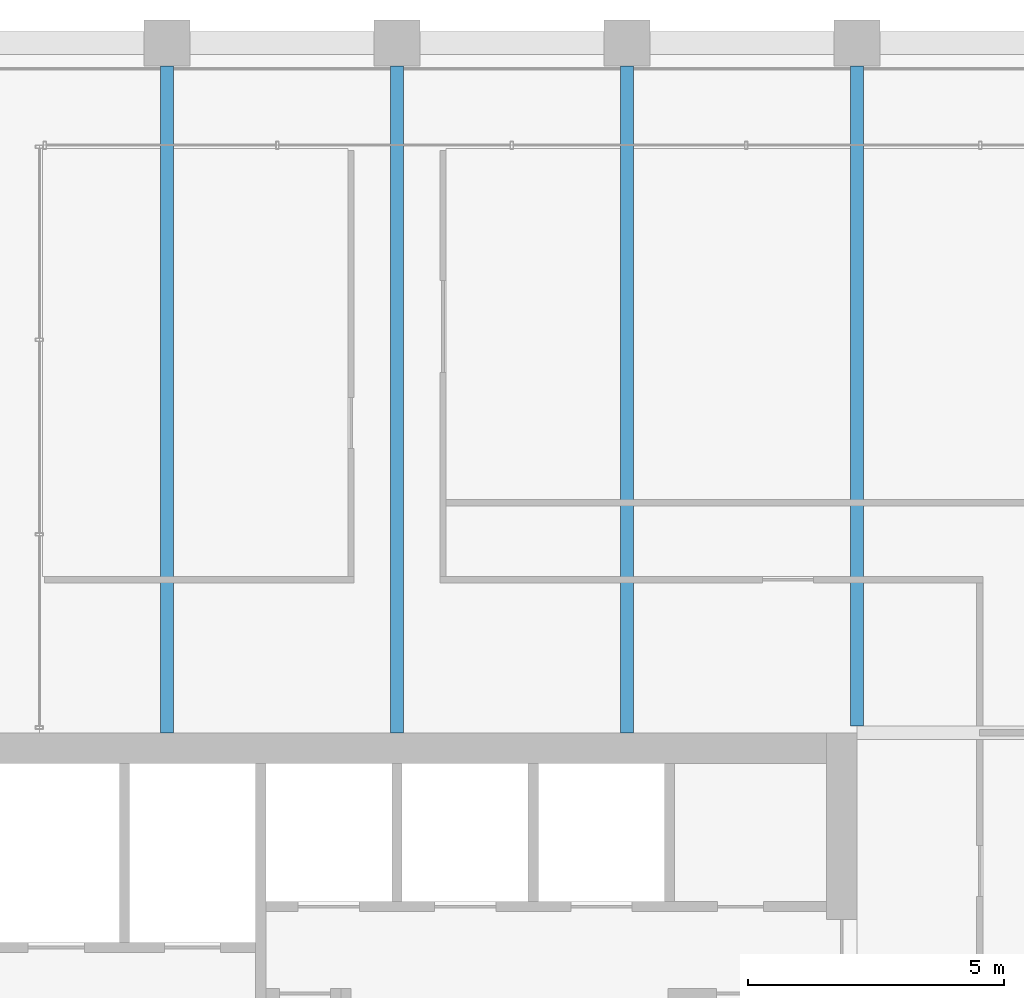
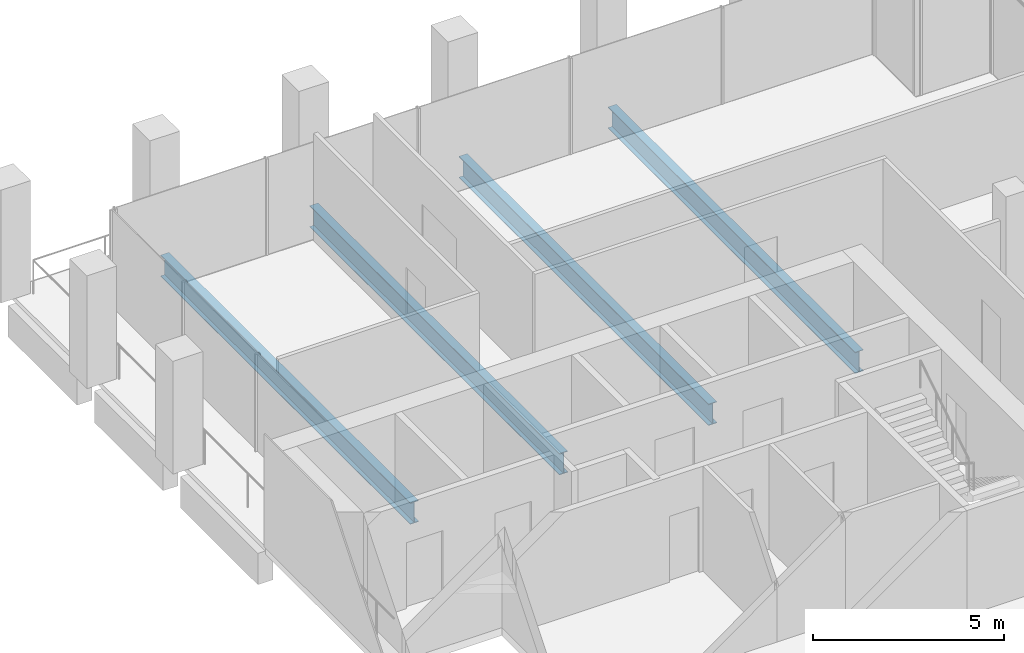
# One storey, part 22 of 40: 4 beams.
"""IFC4 building model written with IfcOpenShell, lengths in metres."""

from ifc_helpers import new_model, si_unit, direction, frame, origin, origin_2d, place, context, subcontext, project, spatial, i_section, extrude, material, material_profile, profile_set, type_object, element, save


model = new_model("IFC4")

# Units and contexts
model_context = context("Model", 3, precision=1e-05, world=origin(), true_north=direction((0.0, 1.0)))
body_context = subcontext(model_context, "Body", "Model", "MODEL_VIEW")
ifc_project = project(units=[si_unit("LENGTHUNIT", "METRE"), si_unit("AREAUNIT", "SQUARE_METRE"), si_unit("VOLUMEUNIT", "CUBIC_METRE"), si_unit("PLANEANGLEUNIT", "RADIAN"), si_unit("MASSUNIT", "GRAM", prefix="KILO")], contexts=[model_context])

# Site, building, storey
site_placement = place(None, origin())
site = spatial("IfcSite", under=ifc_project, at=site_placement, CompositionType="ELEMENT")
building_placement = place(site_placement, origin())
building = spatial("IfcBuilding", under=site, at=building_placement, Name="Altepetl Exchange Towers", CompositionType="ELEMENT")
storey_placement = place(building_placement, frame((0.0, 0.0, 176.199951171875)))
storey = spatial("IfcBuildingStorey", under=building, at=storey_placement, Name="L44", CompositionType="ELEMENT", Elevation=176.199951171875)

# Beams
ifc_material = material(Name="Steel S355", Category="steel")
ifc_material_profile = material_profile(ifc_material, i_section(OverallWidth=0.25390625, OverallDepth=0.68408203125, WebThickness=0.012451171875, FlangeThickness=0.018798828125, at=origin_2d()), Name="W27X94")
ifc_profile_set = profile_set([ifc_material_profile], Name="Steel S355")
beam_type = type_object("IfcBeamType", Name="Floor beam W27X94", PredefinedType="BEAM", material=ifc_profile_set)
for number, where, z_axis, x_axis, name in (
    (1, (45.0, 58.5, -0.491943359375), (0.0, 1.0, 0.0), (-1.0, 0.0, 0.0), "bm:A:L44:000"),
    (2, (49.5, 58.5, -0.491943359375), (0.0, 1.0, 0.0), (-1.0, 0.0, 0.0), "bm:A:L44:001"),
    (3, (54.0, 58.5, -0.491943359375), (0.0, 1.0, 0.0), (-1.0, 0.0, 0.0), "bm:A:L44:002"),
):
    element("IfcBeam", number, at=place(storey_placement, frame(where, z_axis=z_axis, x_axis=x_axis)), inside=storey, type_object=beam_type, Name=name, PredefinedType="BEAM", context=body_context, shape_type="SweptSolid", body=[
        extrude(i_section(OverallWidth=0.25390625, OverallDepth=0.68408203125, WebThickness=0.012451171875, FlangeThickness=0.018798828125, at=origin_2d()), origin(), (0.0, 0.0, 1.0), 13.050048828125),
    ])
beam_placement = place(storey_placement, frame((58.5, 58.634033203125, -0.491943359375), z_axis=(0.0, 1.0, 0.0), x_axis=(-1.0, 0.0, 0.0)))
element("IfcBeam", 4, at=beam_placement, inside=storey, type_object=beam_type, Name="bm:A:L44:003", PredefinedType="BEAM", context=body_context, shape_type="SweptSolid", body=[
    extrude(i_section(OverallWidth=0.25390625, OverallDepth=0.68408203125, WebThickness=0.012451171875, FlangeThickness=0.018798828125, at=origin_2d()), origin(), (0.0, 0.0, 1.0), 12.916015625),
])

save(model, "model.ifc")
